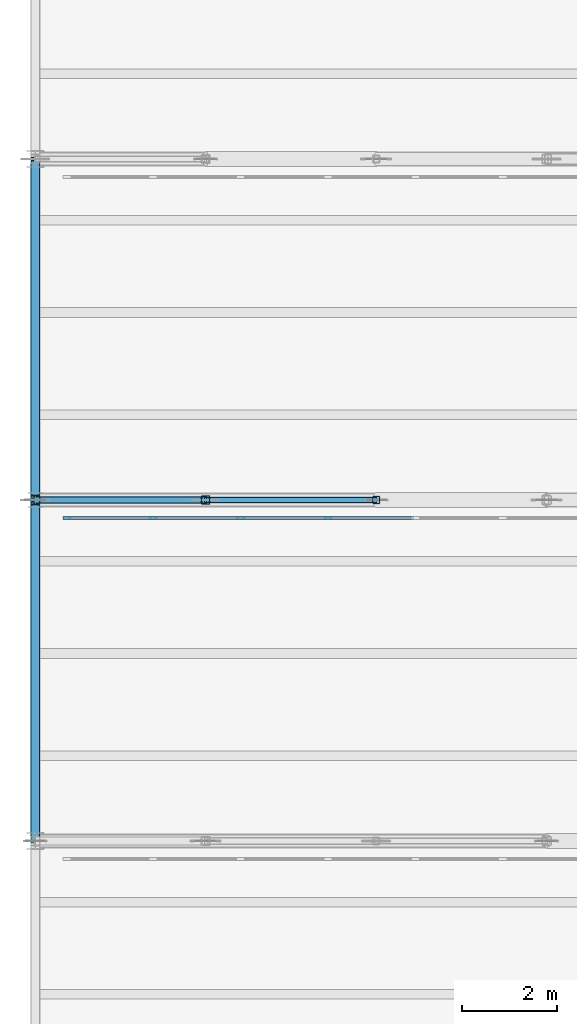
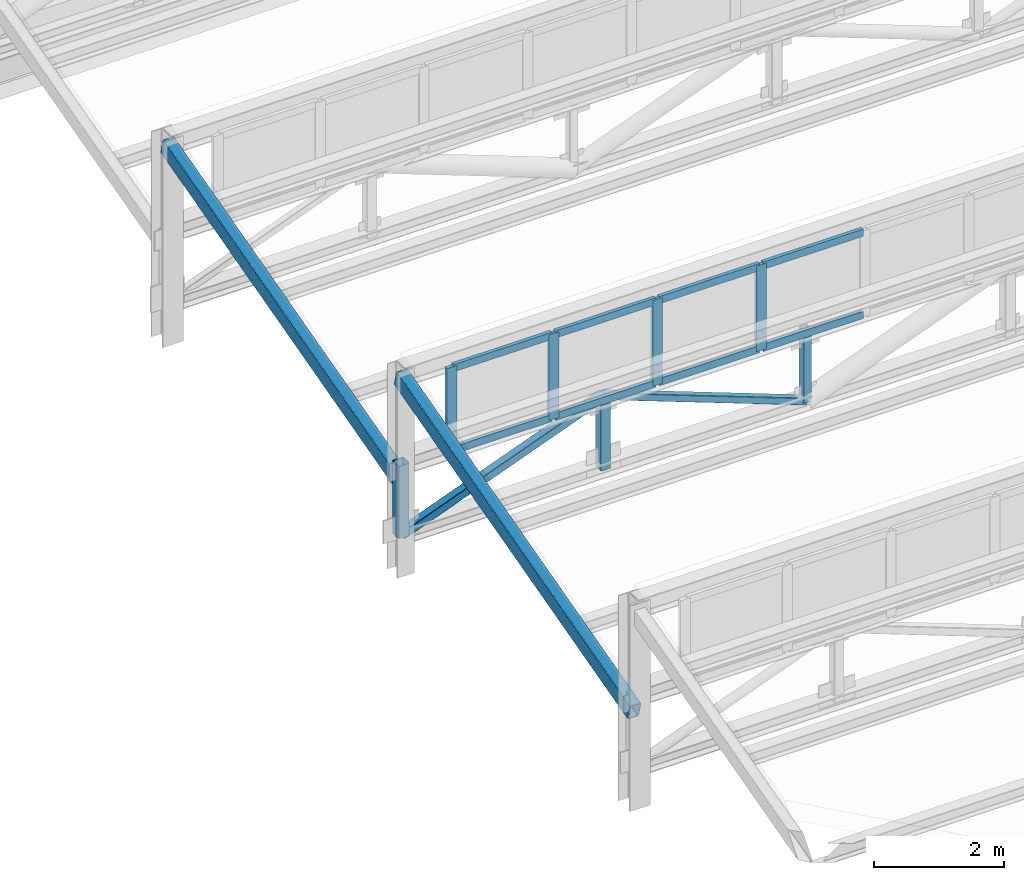
# One storey, part 15 of 55: 17 members, 2 beams, 1 element without a shape of its own.
"""IFC4 building model written with IfcOpenShell, lengths in metres."""

from ifc_helpers import new_model, si_unit, direction, frame, origin, origin_2d, place, context, subcontext, project, spatial, rectangle, hollow_rectangle, extrude, material, layer, layer_set, material_profile, profile_set, type_object, element, aggregate, save


model = new_model("IFC4")

# Units and contexts
model_context = context("Model", 3, precision=1e-05, world=origin(), true_north=direction((0.0, 1.0)))
body_context = subcontext(model_context, "Body", "Model", "MODEL_VIEW")
ifc_project = project(units=[si_unit("LENGTHUNIT", "METRE"), si_unit("AREAUNIT", "SQUARE_METRE"), si_unit("VOLUMEUNIT", "CUBIC_METRE"), si_unit("PLANEANGLEUNIT", "RADIAN"), si_unit("MASSUNIT", "GRAM", prefix="KILO")], contexts=[model_context])

# Site, building, storey
site_placement = place(None, origin())
site = spatial("IfcSite", under=ifc_project, at=site_placement, CompositionType="ELEMENT")
building_placement = place(site_placement, origin())
building = spatial("IfcBuilding", under=site, at=building_placement, Name="Solenvale Faculty of Natural Sciences", CompositionType="ELEMENT")
storey_placement = place(building_placement, frame((0.0, 0.0, 22.5)))
storey = spatial("IfcBuildingStorey", under=building, at=storey_placement, Name="L05", CompositionType="ELEMENT", Elevation=22.5)

# Beams
ifc_material_1 = material(Name="Steel S355", Category="steel")
ifc_material_profile_1 = material_profile(ifc_material_1, hollow_rectangle(XDim=0.202880859375, YDim=0.304931640625, WallThickness=0.0126953125, InnerFilletRadius=0.0126953125, OuterFilletRadius=0.025390625, at=origin_2d()), Name="HSS305x203x13")
ifc_profile_set_1 = profile_set([ifc_material_profile_1], Name="Steel S355")
beam_type = type_object("IfcBeamType", Name="BM-RAF-HSS305", PredefinedType="BEAM", material=ifc_profile_set_1)
beam_1_placement = place(storey_placement, frame((36.0, 43.199951171875, 1.719970703125), z_axis=(0.0, 0.965901991803, 0.258907980238), x_axis=(-1.0, 0.0, 0.0)))
element("IfcBeam", 1, at=beam_1_placement, inside=storey, type_object=beam_type, Name="V3 Sawtooth End Rafter 5.1.W", PredefinedType="BEAM", context=body_context, shape_type="SweptSolid", body=[
    extrude(hollow_rectangle(XDim=0.202880859375, YDim=0.304931640625, WallThickness=0.0126953125, InnerFilletRadius=0.0126953125, OuterFilletRadius=0.025390625, at=origin_2d()), origin(), (0.0, 0.0, 1.0), 7.4541015625),
])
beam_2_placement = place(storey_placement, frame((36.0, 50.39990234375, 1.719970703125), z_axis=(0.0, 0.965904187204, 0.258899789768), x_axis=(-1.0, 0.0, 0.0)))
element("IfcBeam", 2, at=beam_2_placement, inside=storey, type_object=beam_type, Name="V3 Sawtooth End Rafter 6.1.W", PredefinedType="BEAM", context=body_context, shape_type="SweptSolid", body=[
    extrude(hollow_rectangle(XDim=0.202880859375, YDim=0.304931640625, WallThickness=0.0126953125, InnerFilletRadius=0.0126953125, OuterFilletRadius=0.025390625, at=origin_2d()), origin(), (0.0, 0.0, 1.0), 7.454345703125),
])

# Curtain wall, members
ifc_material_2 = material(Name="Anodised bronze aluminium", Category="aluminium")
ifc_layer = layer(ifc_material_2, 0.1650390625)
ifc_layer_set = layer_set([ifc_layer], Name="Anodised bronze aluminium")
curtain_wall_type = type_object("IfcCurtainWallType", Name="CW-SAW-CLR", PredefinedType="USERDEFINED", material=ifc_layer_set)
curtain_wall_placement = place(storey_placement, origin())
curtain_wall = element("IfcCurtainWall", 3, at=curtain_wall_placement, inside=storey, type_object=curtain_wall_type, Name="L05 Curtain Wall SAW-V3-CW-5-1", ObjectType="NORTH LIGHT CLERESTORY", PredefinedType="USERDEFINED")
ifc_material_profile_2 = material_profile(ifc_material_2, rectangle(XDim=0.06494140625, YDim=0.175048828125, at=origin_2d()), Name="ALU-MUL-65x175")
ifc_profile_set_2 = profile_set([ifc_material_profile_2], Name="Anodised bronze aluminium")
member_type_1 = type_object("IfcMemberType", Name="CWM-ALU-65x175", PredefinedType="MULLION", material=ifc_profile_set_2)
member_1_placement = place(storey_placement, frame((42.181884765625, 50.02001953125, 2.22998046875), z_axis=(0.0, 0.0, 1.0), x_axis=(0.0, -1.0, 0.0)))
member_1 = element("IfcMember", 4, at=member_1_placement, type_object=member_type_1, Name="CW-05 mullion 9", PredefinedType="MULLION", context=body_context, shape_type="SweptSolid", body=[
    extrude(rectangle(XDim=0.06494140625, YDim=0.175048828125, at=origin_2d()), origin(), (0.0, 0.0, 1.0), 1.610107421875),
])
member_2_placement = place(storey_placement, frame((40.33447265625, 50.02001953125, 2.22998046875), z_axis=(0.0, 0.0, 1.0), x_axis=(0.0, -1.0, 0.0)))
member_2 = element("IfcMember", 5, at=member_2_placement, type_object=member_type_1, Name="CW-05 mullion 10", PredefinedType="MULLION", context=body_context, shape_type="SweptSolid", body=[
    extrude(rectangle(XDim=0.06494140625, YDim=0.175048828125, at=origin_2d()), origin(), (0.0, 0.0, 1.0), 1.610107421875),
])
member_3_placement = place(storey_placement, frame((38.4873046875, 50.02001953125, 2.22998046875), z_axis=(0.0, 0.0, 1.0), x_axis=(0.0, -1.0, 0.0)))
member_3 = element("IfcMember", 6, at=member_3_placement, type_object=member_type_1, Name="CW-05 mullion 11", PredefinedType="MULLION", context=body_context, shape_type="SweptSolid", body=[
    extrude(rectangle(XDim=0.06494140625, YDim=0.175048828125, at=origin_2d()), origin(), (0.0, 0.0, 1.0), 1.610107421875),
])
member_4_placement = place(storey_placement, frame((36.672607421875, 50.02001953125, 2.22998046875), z_axis=(0.0, 0.0, 1.0), x_axis=(0.0, -1.0, 0.0)))
member_4 = element("IfcMember", 7, at=member_4_placement, type_object=member_type_1, Name="CW-05 mullion 12", PredefinedType="MULLION", context=body_context, shape_type="SweptSolid", body=[
    extrude(rectangle(XDim=0.06494140625, YDim=0.175048828125, at=origin_2d()), origin(), (0.0, 0.0, 1.0), 1.610107421875),
])
ifc_material_profile_3 = material_profile(ifc_material_2, rectangle(XDim=0.06494140625, YDim=0.135009765625, at=origin_2d()), Name="ALU-TRN-65x135")
ifc_profile_set_3 = profile_set([ifc_material_profile_3], Name="Anodised bronze aluminium")
member_type_2 = type_object("IfcMemberType", Name="CWT-ALU-65x135", PredefinedType="USERDEFINED", material=ifc_profile_set_3)
member_5_placement = place(storey_placement, frame((43.99658203125, 50.02001953125, 2.262451171875), z_axis=(-1.0, 0.0, 0.0), x_axis=(0.0, -1.0, 0.0)))
member_5 = element("IfcMember", 8, at=member_5_placement, type_object=member_type_2, Name="CW-05 transom 8.1", ObjectType="TRANSOM", PredefinedType="USERDEFINED", context=body_context, shape_type="SweptSolid", body=[
    extrude(rectangle(XDim=0.06494140625, YDim=0.135009765625, at=origin_2d()), origin(), (0.0, 0.0, 1.0), 1.7822265625),
])
member_6_placement = place(storey_placement, frame((43.99658203125, 50.02001953125, 3.8076171875), z_axis=(-1.0, 0.0, 0.0), x_axis=(0.0, -1.0, 0.0)))
member_6 = element("IfcMember", 9, at=member_6_placement, type_object=member_type_2, Name="CW-05 transom 8.2", ObjectType="TRANSOM", PredefinedType="USERDEFINED", context=body_context, shape_type="SweptSolid", body=[
    extrude(rectangle(XDim=0.06494140625, YDim=0.135009765625, at=origin_2d()), origin(), (0.0, 0.0, 1.0), 1.7822265625),
])
member_7_placement = place(storey_placement, frame((42.1494140625, 50.02001953125, 2.262451171875), z_axis=(-1.0, 0.0, 0.0), x_axis=(0.0, -1.0, 0.0)))
member_7 = element("IfcMember", 10, at=member_7_placement, type_object=member_type_2, Name="CW-05 transom 9.1", ObjectType="TRANSOM", PredefinedType="USERDEFINED", context=body_context, shape_type="SweptSolid", body=[
    extrude(rectangle(XDim=0.06494140625, YDim=0.135009765625, at=origin_2d()), origin(), (0.0, 0.0, 1.0), 1.782470703125),
])
member_8_placement = place(storey_placement, frame((42.1494140625, 50.02001953125, 3.8076171875), z_axis=(-1.0, 0.0, 0.0), x_axis=(0.0, -1.0, 0.0)))
member_8 = element("IfcMember", 11, at=member_8_placement, type_object=member_type_2, Name="CW-05 transom 9.2", ObjectType="TRANSOM", PredefinedType="USERDEFINED", context=body_context, shape_type="SweptSolid", body=[
    extrude(rectangle(XDim=0.06494140625, YDim=0.135009765625, at=origin_2d()), origin(), (0.0, 0.0, 1.0), 1.782470703125),
])
member_9_placement = place(storey_placement, frame((40.302001953125, 50.02001953125, 2.262451171875), z_axis=(-1.0, 0.0, 0.0), x_axis=(0.0, -1.0, 0.0)))
member_9 = element("IfcMember", 12, at=member_9_placement, type_object=member_type_2, Name="CW-05 transom 10.1", ObjectType="TRANSOM", PredefinedType="USERDEFINED", context=body_context, shape_type="SweptSolid", body=[
    extrude(rectangle(XDim=0.06494140625, YDim=0.135009765625, at=origin_2d()), origin(), (0.0, 0.0, 1.0), 1.7822265625),
])
member_10_placement = place(storey_placement, frame((40.302001953125, 50.02001953125, 3.8076171875), z_axis=(-1.0, 0.0, 0.0), x_axis=(0.0, -1.0, 0.0)))
member_10 = element("IfcMember", 13, at=member_10_placement, type_object=member_type_2, Name="CW-05 transom 10.2", ObjectType="TRANSOM", PredefinedType="USERDEFINED", context=body_context, shape_type="SweptSolid", body=[
    extrude(rectangle(XDim=0.06494140625, YDim=0.135009765625, at=origin_2d()), origin(), (0.0, 0.0, 1.0), 1.7822265625),
])
member_11_placement = place(storey_placement, frame((38.454833984375, 50.02001953125, 2.262451171875), z_axis=(-1.0, 0.0, 0.0), x_axis=(0.0, -1.0, 0.0)))
member_11 = element("IfcMember", 14, at=member_11_placement, type_object=member_type_2, Name="CW-05 transom 11.1", ObjectType="TRANSOM", PredefinedType="USERDEFINED", context=body_context, shape_type="SweptSolid", body=[
    extrude(rectangle(XDim=0.06494140625, YDim=0.135009765625, at=origin_2d()), origin(), (0.0, 0.0, 1.0), 1.749755859375),
])
member_12_placement = place(storey_placement, frame((38.454833984375, 50.02001953125, 3.8076171875), z_axis=(-1.0, 0.0, 0.0), x_axis=(0.0, -1.0, 0.0)))
member_12 = element("IfcMember", 15, at=member_12_placement, type_object=member_type_2, Name="CW-05 transom 11.2", ObjectType="TRANSOM", PredefinedType="USERDEFINED", context=body_context, shape_type="SweptSolid", body=[
    extrude(rectangle(XDim=0.06494140625, YDim=0.135009765625, at=origin_2d()), origin(), (0.0, 0.0, 1.0), 1.749755859375),
])
aggregate(curtain_wall, [member_1, member_2, member_3, member_4, member_5, member_6, member_7, member_8, member_9, member_10, member_11, member_12])

# Members
ifc_material_profile_4 = material_profile(ifc_material_1, hollow_rectangle(XDim=0.126953125, YDim=0.126953125, WallThickness=0.008056640625, InnerFilletRadius=0.008056640625, OuterFilletRadius=0.01611328125, at=origin_2d()), Name="HSS127x127x8.0")
ifc_profile_set_4 = profile_set([ifc_material_profile_4], Name="Steel S355")
member_type_3 = type_object("IfcMemberType", Name="MB-BRC-HSS127", PredefinedType="BRACE", material=ifc_profile_set_4)
member_13_placement = place(storey_placement, frame((39.60009765625, 50.39990234375, 2.050048828125), z_axis=(0.935458110384, 0.0, -0.353437581075), x_axis=(0.0, 1.0, 0.0)))
element("IfcMember", 16, at=member_13_placement, inside=storey, type_object=member_type_3, Name="V3 Truss 5.1 Diagonal 2", PredefinedType="BRACE", context=body_context, shape_type="SweptSolid", body=[
    extrude(hollow_rectangle(XDim=0.126953125, YDim=0.126953125, WallThickness=0.008056640625, InnerFilletRadius=0.008056640625, OuterFilletRadius=0.01611328125, at=origin_2d()), origin(), (0.0, 0.0, 1.0), 3.84814453125),
])
ifc_material_profile_5 = material_profile(ifc_material_1, hollow_rectangle(XDim=0.152099609375, YDim=0.152099609375, WallThickness=0.009521484375, InnerFilletRadius=0.009521484375, OuterFilletRadius=0.01904296875, at=origin_2d()), Name="HSS152x152x9.5")
ifc_profile_set_5 = profile_set([ifc_material_profile_5], Name="Steel S355")
member_type_4 = type_object("IfcMemberType", Name="MB-BRC-HSS152", PredefinedType="BRACE", material=ifc_profile_set_5)
member_14_placement = place(storey_placement, frame((36.0, 50.39990234375, 0.68994140625), z_axis=(0.935466034784, 0.0, 0.353416606522), x_axis=(0.0, 1.0, 0.0)))
element("IfcMember", 17, at=member_14_placement, inside=storey, type_object=member_type_4, Name="V3 Truss 5.1 Diagonal 1", PredefinedType="BRACE", context=body_context, shape_type="SweptSolid", body=[
    extrude(hollow_rectangle(XDim=0.152099609375, YDim=0.152099609375, WallThickness=0.009521484375, InnerFilletRadius=0.009521484375, OuterFilletRadius=0.01904296875, at=origin_2d()), origin(), (0.0, 0.0, 1.0), 3.848388671875),
])
ifc_material_profile_6 = material_profile(ifc_material_1, hollow_rectangle(XDim=0.152099609375, YDim=0.152099609375, WallThickness=0.009521484375, InnerFilletRadius=0.009521484375, OuterFilletRadius=0.01904296875, at=origin_2d()), Name="HSS152x152x9.5")
ifc_profile_set_6 = profile_set([ifc_material_profile_6], Name="Steel S355")
member_type_5 = type_object("IfcMemberType", Name="MB-STR-HSS152", PredefinedType="STRUT", material=ifc_profile_set_6)
member_15_placement = place(storey_placement, frame((43.199951171875, 50.39990234375, 0.68994140625), z_axis=(0.0, 0.0, 1.0), x_axis=(1.0, 0.0, 0.0)))
element("IfcMember", 18, at=member_15_placement, inside=storey, type_object=member_type_5, Name="V3 Truss 5.1 Strut 2", PredefinedType="STRUT", context=body_context, shape_type="SweptSolid", body=[
    extrude(hollow_rectangle(XDim=0.152099609375, YDim=0.152099609375, WallThickness=0.009521484375, InnerFilletRadius=0.009521484375, OuterFilletRadius=0.01904296875, at=origin_2d()), origin(), (0.0, 0.0, 1.0), 1.360107421875),
])
ifc_material_profile_7 = material_profile(ifc_material_1, hollow_rectangle(XDim=0.177978515625, YDim=0.177978515625, WallThickness=0.009521484375, InnerFilletRadius=0.009521484375, OuterFilletRadius=0.01904296875, at=origin_2d()), Name="HSS178x178x9.5")
ifc_profile_set_7 = profile_set([ifc_material_profile_7], Name="Steel S355")
member_type_6 = type_object("IfcMemberType", Name="MB-STR-HSS178", PredefinedType="STRUT", material=ifc_profile_set_7)
member_16_placement = place(storey_placement, frame((39.60009765625, 50.39990234375, 0.68994140625), z_axis=(0.0, 0.0, 1.0), x_axis=(1.0, 0.0, 0.0)))
element("IfcMember", 19, at=member_16_placement, inside=storey, type_object=member_type_6, Name="V3 Truss 5.1 Strut 1", PredefinedType="STRUT", context=body_context, shape_type="SweptSolid", body=[
    extrude(hollow_rectangle(XDim=0.177978515625, YDim=0.177978515625, WallThickness=0.009521484375, InnerFilletRadius=0.009521484375, OuterFilletRadius=0.01904296875, at=origin_2d()), origin(), (0.0, 0.0, 1.0), 1.360107421875),
])
ifc_material_profile_8 = material_profile(ifc_material_1, hollow_rectangle(XDim=0.202880859375, YDim=0.202880859375, WallThickness=0.0126953125, InnerFilletRadius=0.0126953125, OuterFilletRadius=0.025390625, at=origin_2d()), Name="HSS203x203x13")
ifc_profile_set_8 = profile_set([ifc_material_profile_8], Name="Steel S355")
member_type_7 = type_object("IfcMemberType", Name="MB-STR-HSS203", PredefinedType="STRUT", material=ifc_profile_set_8)
member_17_placement = place(storey_placement, frame((36.0, 50.39990234375, 0.68994140625), z_axis=(0.0, 0.0, 1.0), x_axis=(1.0, 0.0, 0.0)))
element("IfcMember", 20, at=member_17_placement, inside=storey, type_object=member_type_7, Name="V3 Truss 5.1 Strut 0", PredefinedType="STRUT", context=body_context, shape_type="SweptSolid", body=[
    extrude(hollow_rectangle(XDim=0.202880859375, YDim=0.202880859375, WallThickness=0.0126953125, InnerFilletRadius=0.0126953125, OuterFilletRadius=0.025390625, at=origin_2d()), origin(), (0.0, 0.0, 1.0), 1.360107421875),
])

save(model, "model.ifc")
